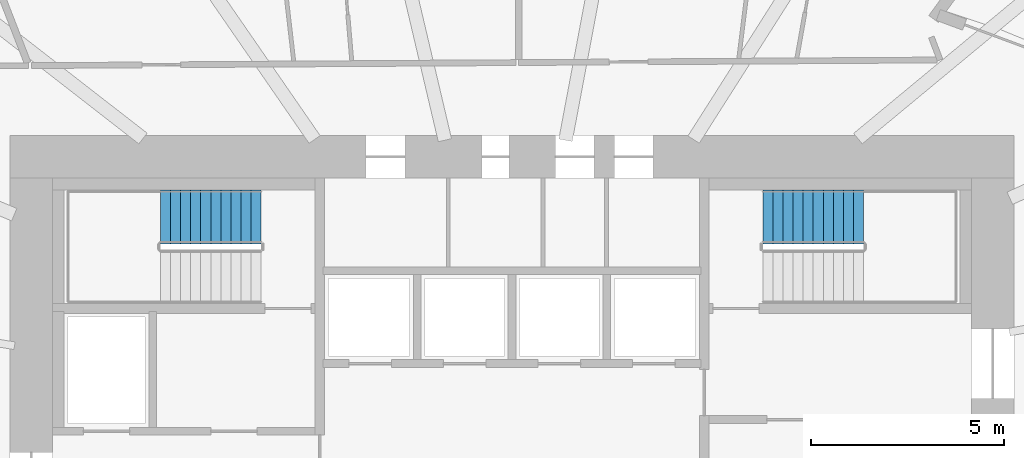
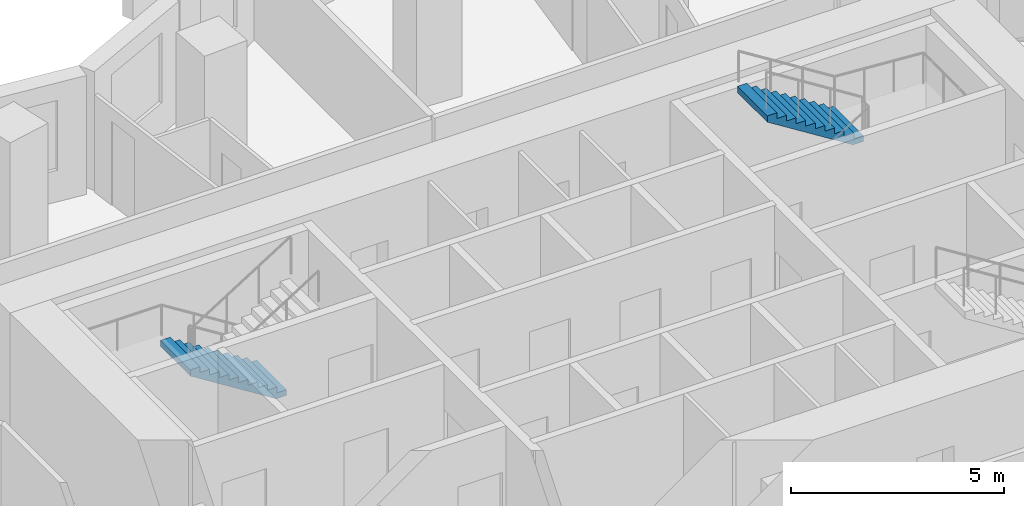
# One storey, part 12 of 14: 2 stair flights, 2 elements without a shape of their own.
"""IFC4 building model written with IfcOpenShell, lengths in metres."""

from ifc_helpers import new_model, si_unit, direction, frame, origin, place, context, subcontext, project, spatial, polyline, outline, extrude, material, type_object, element, aggregate, save


model = new_model("IFC4")

# Units and contexts
model_context = context("Model", 3, precision=1e-05, world=origin(), true_north=direction((0.0, 1.0)))
body_context = subcontext(model_context, "Body", "Model", "MODEL_VIEW")
ifc_project = project(units=[si_unit("LENGTHUNIT", "METRE"), si_unit("AREAUNIT", "SQUARE_METRE"), si_unit("VOLUMEUNIT", "CUBIC_METRE"), si_unit("PLANEANGLEUNIT", "RADIAN"), si_unit("MASSUNIT", "GRAM", prefix="KILO")], contexts=[model_context])

# Site, building, storey
site_placement = place(None, origin())
site = spatial("IfcSite", under=ifc_project, at=site_placement, CompositionType="ELEMENT")
building_placement = place(site_placement, origin())
building = spatial("IfcBuilding", under=site, at=building_placement, Name="Rubra Terraces Tower", CompositionType="ELEMENT")
storey_placement = place(building_placement, frame((0.0, 0.0, 103.199951171875)))
storey = spatial("IfcBuildingStorey", under=building, at=storey_placement, Name="L24", CompositionType="ELEMENT", Elevation=103.199951171875)

# Stair, stair flight
ifc_material = material(Name="Concrete C40", Category="concrete")
stair_type = type_object("IfcStairType", Name="Core stair 1400", PredefinedType="HALF_TURN_STAIR", material=ifc_material)
stair_1_placement = place(storey_placement, origin())
stair_1 = element("IfcStair", 1, at=stair_1_placement, inside=storey, type_object=stair_type, Name="L24 Exit stair S2", PredefinedType="HALF_TURN_STAIR")
stair_flight_type = type_object("IfcStairFlightType", Name="Core stair flight 1400", PredefinedType="STRAIGHT", material=ifc_material)
stair_flight_1_placement = place(storey_placement, frame((-6.5, 9.89990234375, 0.0), z_axis=(0.0, 0.0, 1.0), x_axis=(-1.0, 0.0, 0.0)))
stair_flight_1 = element("IfcStairFlight", 2, at=stair_flight_1_placement, type_object=stair_flight_type, Name="S2 flight 1", NumberOfRisers=11, NumberOfTreads=10, PredefinedType="STRAIGHT", RiserHeight=0.163636364, TreadLength=0.26, context=body_context, shape_type="SweptSolid", body=[
    extrude(outline(polyline([(0.0, 0.0), (0.0, 0.16357421875), (0.260009765625, 0.16357421875), (0.260009765625, 0.327392578125), (0.52001953125, 0.327392578125), (0.52001953125, 0.490966796875), (0.780029296875, 0.490966796875), (0.780029296875, 0.654541015625), (1.0400390625, 0.654541015625), (1.0400390625, 0.818115234375), (1.300048828125, 0.818115234375), (1.300048828125, 0.98193359375), (1.56005859375, 0.98193359375), (1.56005859375, 1.1455078125), (1.820068359375, 1.1455078125), (1.820068359375, 1.30908203125), (2.080078125, 1.30908203125), (2.080078125, 1.47265625), (2.340087890625, 1.47265625), (2.340087890625, 1.636474609375), (2.60009765625, 1.636474609375), (2.60009765625, 1.800048828125), (2.60009765625, 1.459228515625), (0.281494140625, 0.0), (0.0, 0.0)])), frame((0.0, 0.699951171875, 0.0), z_axis=(0.0, -1.0, 0.0), x_axis=(1.0, 0.0, 0.0)), (0.0, 0.0, 1.0), 1.39990234375),
])
aggregate(stair_1, [stair_flight_1])

stair_2_placement = place(storey_placement, origin())
stair_2 = element("IfcStair", 3, at=stair_2_placement, inside=storey, type_object=stair_type, Name="L24 Exit stair S3", PredefinedType="HALF_TURN_STAIR")
stair_flight_2_placement = place(storey_placement, frame((9.10009765625, 9.89990234375, 1.800048828125), z_axis=(0.0, 0.0, 1.0), x_axis=(-1.0, 0.0, 0.0)))
stair_flight_2 = element("IfcStairFlight", 4, at=stair_flight_2_placement, type_object=stair_flight_type, Name="S3 flight 2", NumberOfRisers=11, NumberOfTreads=10, PredefinedType="STRAIGHT", RiserHeight=0.163636364, TreadLength=0.26, context=body_context, shape_type="SweptSolid", body=[
    extrude(outline(polyline([(0.0, 0.0), (0.0, 0.16357421875), (0.260009765625, 0.16357421875), (0.260009765625, 0.327392578125), (0.52001953125, 0.327392578125), (0.52001953125, 0.490966796875), (0.780029296875, 0.490966796875), (0.780029296875, 0.654541015625), (1.0400390625, 0.654541015625), (1.0400390625, 0.818115234375), (1.300048828125, 0.818115234375), (1.300048828125, 0.98193359375), (1.56005859375, 0.98193359375), (1.56005859375, 1.1455078125), (1.820068359375, 1.1455078125), (1.820068359375, 1.30908203125), (2.080078125, 1.30908203125), (2.080078125, 1.47265625), (2.340087890625, 1.47265625), (2.340087890625, 1.636474609375), (2.60009765625, 1.636474609375), (2.60009765625, 1.800048828125), (2.60009765625, 1.459228515625), (0.281494140625, 0.0), (0.0, 0.0)])), frame((0.0, 0.699951171875, 0.0), z_axis=(0.0, -1.0, 0.0), x_axis=(1.0, 0.0, 0.0)), (0.0, 0.0, 1.0), 1.39990234375),
])
aggregate(stair_2, [stair_flight_2])

save(model, "model.ifc")
